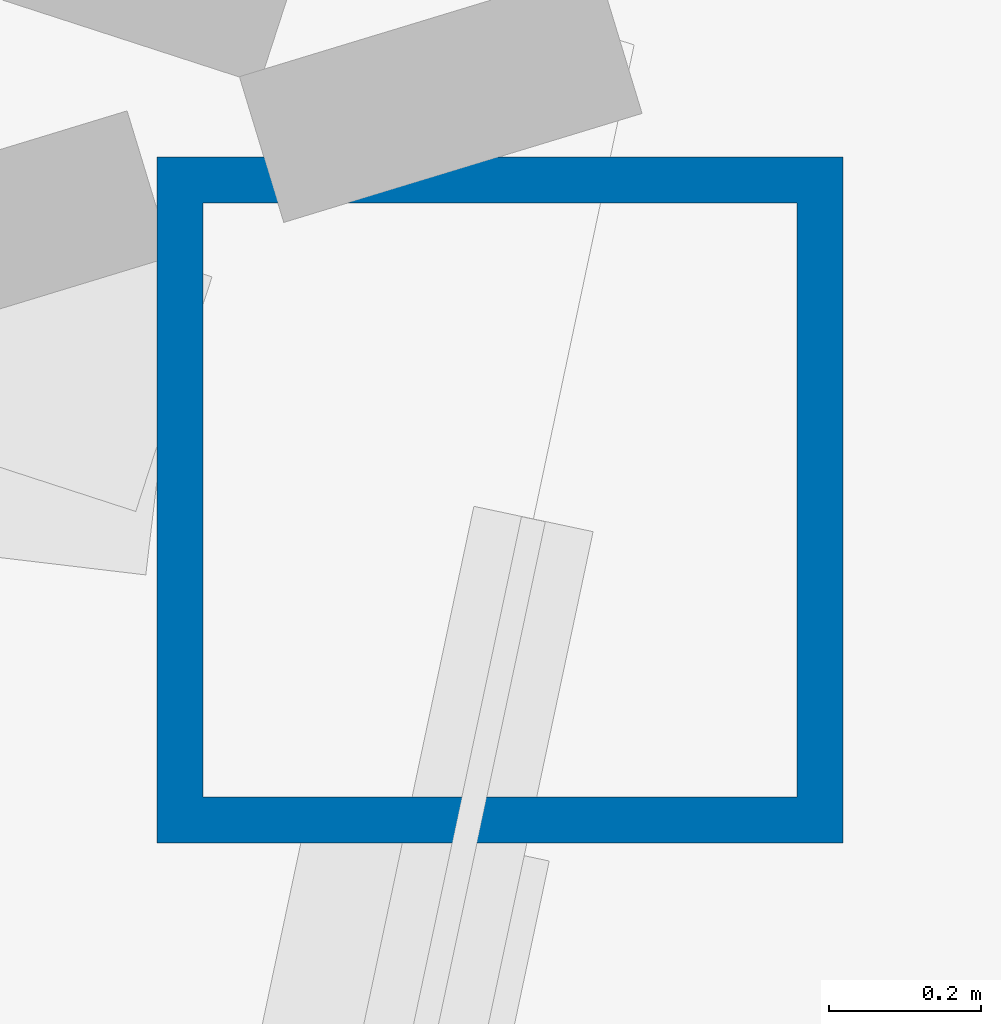
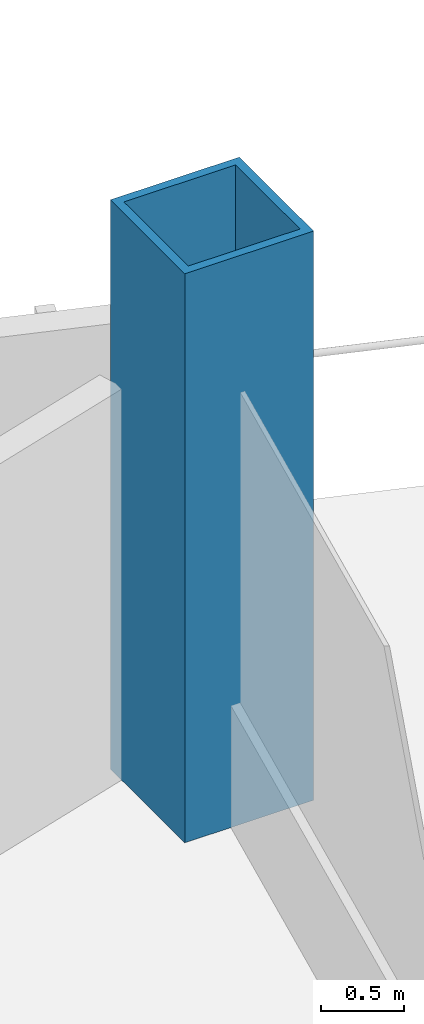
# One storey, part 2 of 21: 1 column.
"""IFC4 building model written with IfcOpenShell, lengths in metres."""

from ifc_helpers import new_model, si_unit, direction, frame, origin, origin_2d, place, context, subcontext, project, spatial, hollow_rectangle, extrude, material, material_profile, profile_set, type_object, element, save


model = new_model("IFC4")

# Units and contexts
model_context = context("Model", 3, precision=1e-05, world=origin(), true_north=direction((0.0, 1.0)))
body_context = subcontext(model_context, "Body", "Model", "MODEL_VIEW")
ifc_project = project(units=[si_unit("LENGTHUNIT", "METRE"), si_unit("AREAUNIT", "SQUARE_METRE"), si_unit("VOLUMEUNIT", "CUBIC_METRE"), si_unit("PLANEANGLEUNIT", "RADIAN"), si_unit("MASSUNIT", "GRAM", prefix="KILO")], contexts=[model_context])

# Site, building, storey
site_placement = place(None, origin())
site = spatial("IfcSite", under=ifc_project, at=site_placement, CompositionType="ELEMENT")
building_placement = place(site_placement, origin())
building = spatial("IfcBuilding", under=site, at=building_placement, Name="Cormorant Prow Tower", CompositionType="ELEMENT")
storey_placement = place(building_placement, frame((0.0, 0.0, 103.800048828125)))
storey = spatial("IfcBuildingStorey", under=building, at=storey_placement, Name="L21", CompositionType="ELEMENT", Elevation=103.800048828125)

# Column
ifc_material = material(Name="Structural steel ASTM A572 Gr 50", Category="steel")
ifc_material_profile = material_profile(ifc_material, hollow_rectangle(XDim=0.89990234375, YDim=0.89990234375, WallThickness=0.06005859375, at=origin_2d()), Name="Box 900x900x60")
ifc_profile_set = profile_set([ifc_material_profile], Name="Structural steel ASTM A572 Gr 50")
column_type = type_object("IfcColumnType", Name="Perimeter box column 900x900x60", PredefinedType="COLUMN", material=ifc_profile_set)
column_placement = place(storey_placement, frame((32.1962890625, -4.967041015625, 0.0), z_axis=(0.0, 0.0, 1.0), x_axis=(1.0, 0.0, 0.0)))
element("IfcColumn", 1, at=column_placement, inside=storey, type_object=column_type, Name="Perimeter column C3 at ENE01 L21", PredefinedType="COLUMN", context=body_context, shape_type="SweptSolid", body=[
    extrude(hollow_rectangle(XDim=0.89990234375, YDim=0.89990234375, WallThickness=0.06005859375, at=origin_2d()), origin(), (0.0, 0.0, 1.0), 4.199951171875),
])

save(model, "model.ifc")
